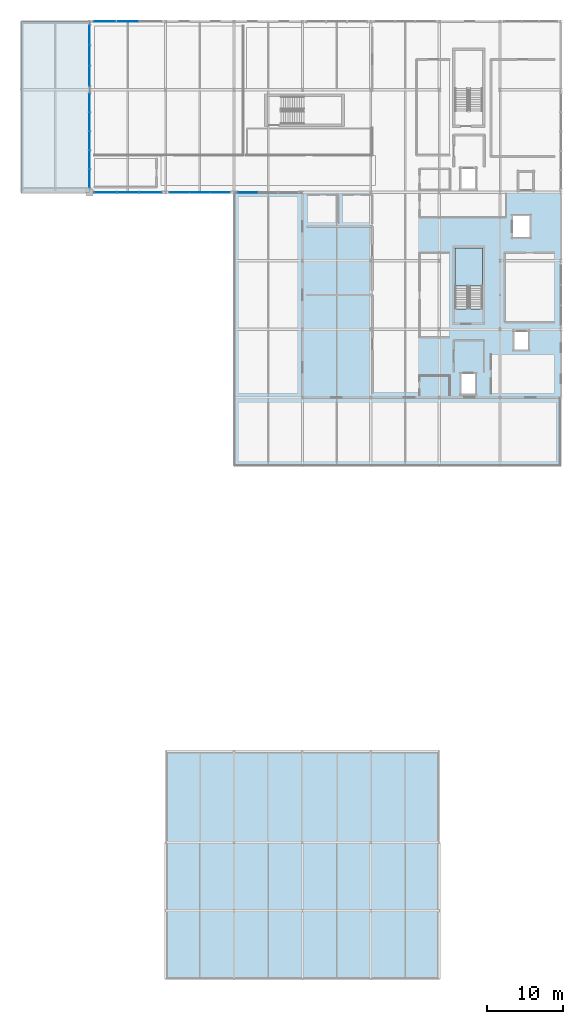
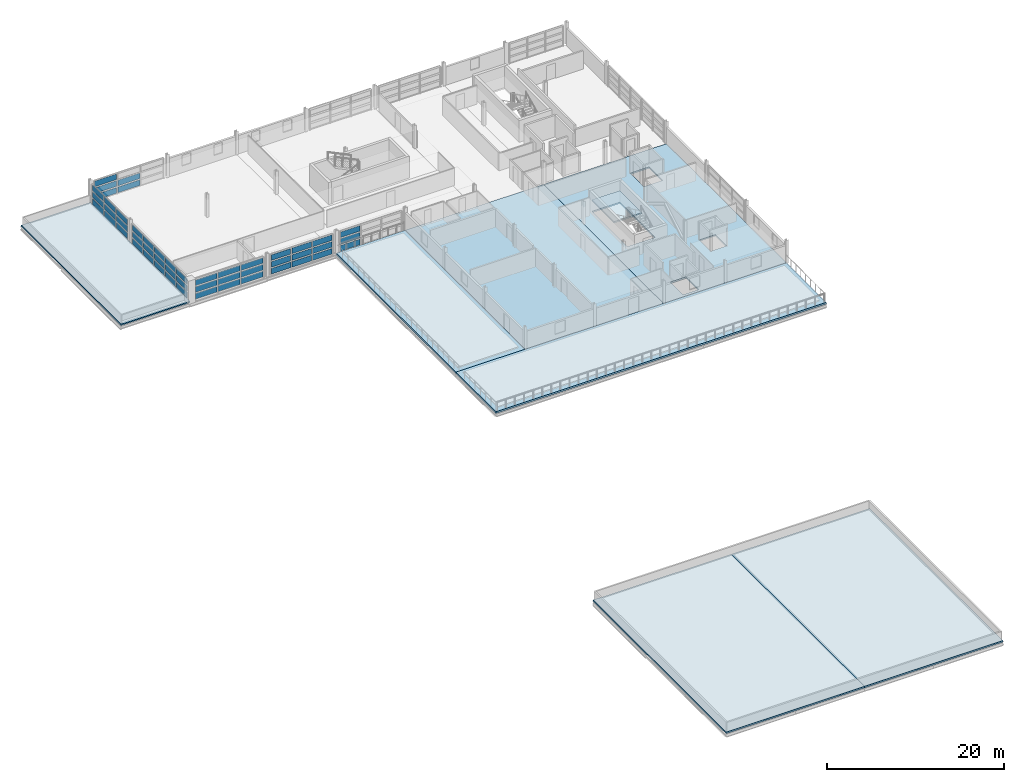
# One storey, part 19 of 30: 50 plates, 8 slabs, 7 elements without a shape of their own.
"""IFC4 building model written with IfcOpenShell, lengths in metres."""

from ifc_helpers import new_model, si_unit, direction, frame, origin, origin_2d, place, context, subcontext, project, spatial, polyline, rectangle, outline, extrude, material, layer, layer_set, type_object, element, aggregate, save


model = new_model("IFC4")

# Units and contexts
model_context = context("Model", 3, precision=1e-05, world=origin(), true_north=direction((0.0, 1.0)))
body_context = subcontext(model_context, "Body", "Model", "MODEL_VIEW")
ifc_project = project(units=[si_unit("LENGTHUNIT", "METRE"), si_unit("AREAUNIT", "SQUARE_METRE"), si_unit("VOLUMEUNIT", "CUBIC_METRE"), si_unit("PLANEANGLEUNIT", "RADIAN"), si_unit("MASSUNIT", "GRAM", prefix="KILO")], contexts=[model_context])

# Site, building, storey
site_placement = place(None, origin())
site = spatial("IfcSite", under=ifc_project, at=site_placement, CompositionType="ELEMENT")
building_placement = place(site_placement, origin())
building = spatial("IfcBuilding", under=site, at=building_placement, Name="Chuanluo Vaults Station", CompositionType="ELEMENT")
storey_placement = place(building_placement, frame((0.0, 0.0, 17.60009765625)))
storey = spatial("IfcBuildingStorey", under=building, at=storey_placement, Name="L04", CompositionType="ELEMENT", Elevation=17.60009765625)

# Curtain wall, plate
ifc_material_1 = material(Name="Anodised aluminium 6063-T6", Category="aluminium")
curtain_wall_type_1 = type_object("IfcCurtainWallType", Name="CW-SYS-11", PredefinedType="NOTDEFINED", material=ifc_material_1)
curtain_wall_1_placement = place(storey_placement, origin())
curtain_wall_1 = element("IfcCurtainWall", 1, at=curtain_wall_1_placement, inside=storey, type_object=curtain_wall_type_1, Name="Operations L04 facade CW", PredefinedType="NOTDEFINED")
ifc_material_2 = material(Name="Ceramic-fritted spandrel glass", Category="glass")
ifc_layer_1 = layer(ifc_material_2, 0.06396484375)
ifc_layer_set_1 = layer_set([ifc_layer_1], Name="Ceramic-fritted spandrel glass")
plate_type_1 = type_object("IfcPlateType", Name="CWP-SPN-42", PredefinedType="SHEET", material=ifc_layer_set_1)
plate_1_placement = place(storey_placement, frame((146.816650390625, 103.5, 0.080078125), z_axis=(0.0, 0.0, 1.0), x_axis=(-1.0, 0.0, 0.0)))
plate_1 = element("IfcPlate", 2, at=plate_1_placement, type_object=plate_type_1, Name="Operations L04 facade CW glazed panel 3.1", PredefinedType="SHEET", context=body_context, shape_type="SweptSolid", body=[
    extrude(rectangle(XDim=2.523193359375, YDim=0.06396484375, at=origin_2d()), origin(), (0.0, 0.0, 1.0), 0.773193359375),
])

# Curtain wall, plates
ifc_material_3 = material(Name="Anodised aluminium 6063-T6", Category="aluminium")
curtain_wall_type_2 = type_object("IfcCurtainWallType", Name="CW-SYS-13", PredefinedType="NOTDEFINED", material=ifc_material_3)
curtain_wall_2_placement = place(storey_placement, origin())
curtain_wall_2 = element("IfcCurtainWall", 3, at=curtain_wall_2_placement, inside=storey, type_object=curtain_wall_type_2, Name="Operations L04 facade CW", PredefinedType="NOTDEFINED")
plate_2_placement = place(storey_placement, frame((134.033203125, 103.5, 0.080078125), z_axis=(0.0, 0.0, 1.0), x_axis=(-1.0, 0.0, 0.0)))
plate_2 = element("IfcPlate", 4, at=plate_2_placement, type_object=plate_type_1, Name="Operations L04 facade CW glazed panel 1.1", PredefinedType="SHEET", context=body_context, shape_type="SweptSolid", body=[
    extrude(rectangle(XDim=2.8232421875, YDim=0.06396484375, at=origin_2d()), origin(), (0.0, 0.0, 1.0), 0.773193359375),
])
plate_3_placement = place(storey_placement, frame((131.050048828125, 103.5, 0.080078125), z_axis=(0.0, 0.0, 1.0), x_axis=(-1.0, 0.0, 0.0)))
plate_3 = element("IfcPlate", 5, at=plate_3_placement, type_object=plate_type_1, Name="Operations L04 facade CW glazed panel 2.1", PredefinedType="SHEET", context=body_context, shape_type="SweptSolid", body=[
    extrude(rectangle(XDim=2.8232421875, YDim=0.06396484375, at=origin_2d()), origin(), (0.0, 0.0, 1.0), 0.773193359375),
])
plate_4_placement = place(storey_placement, frame((128.066650390625, 103.5, 0.080078125), z_axis=(0.0, 0.0, 1.0), x_axis=(-1.0, 0.0, 0.0)))
plate_4 = element("IfcPlate", 6, at=plate_4_placement, type_object=plate_type_1, Name="Operations L04 facade CW glazed panel 3.1", PredefinedType="SHEET", context=body_context, shape_type="SweptSolid", body=[
    extrude(rectangle(XDim=2.8232421875, YDim=0.06396484375, at=origin_2d()), origin(), (0.0, 0.0, 1.0), 0.773193359375),
])

ifc_material_4 = material(Name="Anodised aluminium 6063-T6", Category="aluminium")
curtain_wall_type_3 = type_object("IfcCurtainWallType", Name="CW-SYS-15", PredefinedType="NOTDEFINED", material=ifc_material_4)
curtain_wall_3_placement = place(storey_placement, origin())
curtain_wall_3 = element("IfcCurtainWall", 7, at=curtain_wall_3_placement, inside=storey, type_object=curtain_wall_type_3, Name="Operations L04 facade CW", PredefinedType="NOTDEFINED")
plate_5_placement = place(storey_placement, frame((126.0, 118.816650390625, 0.080078125), z_axis=(0.0, 0.0, 1.0), x_axis=(0.0, 1.0, 0.0)))
plate_5 = element("IfcPlate", 8, at=plate_5_placement, type_object=plate_type_1, Name="Operations L04 facade CW glazed panel 1.1", PredefinedType="SHEET", context=body_context, shape_type="SweptSolid", body=[
    extrude(rectangle(XDim=2.523193359375, YDim=0.06396484375, at=origin_2d()), origin(), (0.0, 0.0, 1.0), 0.773193359375),
])
plate_6_placement = place(storey_placement, frame((126.0, 121.5, 0.080078125), z_axis=(0.0, 0.0, 1.0), x_axis=(0.0, 1.0, 0.0)))
plate_6 = element("IfcPlate", 9, at=plate_6_placement, type_object=plate_type_1, Name="Operations L04 facade CW glazed panel 2.1", PredefinedType="SHEET", context=body_context, shape_type="SweptSolid", body=[
    extrude(rectangle(XDim=2.523193359375, YDim=0.06396484375, at=origin_2d()), origin(), (0.0, 0.0, 1.0), 0.773193359375),
])
plate_7_placement = place(storey_placement, frame((126.0, 124.183349609375, 0.080078125), z_axis=(0.0, 0.0, 1.0), x_axis=(0.0, 1.0, 0.0)))
plate_7 = element("IfcPlate", 10, at=plate_7_placement, type_object=plate_type_1, Name="Operations L04 facade CW glazed panel 3.1", PredefinedType="SHEET", context=body_context, shape_type="SweptSolid", body=[
    extrude(rectangle(XDim=2.523193359375, YDim=0.06396484375, at=origin_2d()), origin(), (0.0, 0.0, 1.0), 0.773193359375),
])

ifc_material_5 = material(Name="Anodised aluminium 6063-T6", Category="aluminium")
curtain_wall_type_4 = type_object("IfcCurtainWallType", Name="CW-SYS-12", PredefinedType="NOTDEFINED", material=ifc_material_5)
curtain_wall_4_placement = place(storey_placement, origin())
curtain_wall_4 = element("IfcCurtainWall", 11, at=curtain_wall_4_placement, inside=storey, type_object=curtain_wall_type_4, Name="Operations L04 facade CW", PredefinedType="NOTDEFINED")
ifc_material_6 = material(Name="Ceramic-fritted spandrel glass", Category="glass")
ifc_layer_2 = layer(ifc_material_6, 0.070068359375)
ifc_layer_set_2 = layer_set([ifc_layer_2], Name="Ceramic-fritted spandrel glass")
plate_type_2 = type_object("IfcPlateType", Name="CWP-SPN-50", PredefinedType="SHEET", material=ifc_layer_set_2)
plate_8_placement = place(storey_placement, frame((143.183349609375, 103.5, 0.080078125), z_axis=(0.0, 0.0, 1.0), x_axis=(-1.0, 0.0, 0.0)))
plate_8 = element("IfcPlate", 12, at=plate_8_placement, type_object=plate_type_2, Name="Operations L04 facade CW glazed panel 1.1", PredefinedType="SHEET", context=body_context, shape_type="SweptSolid", body=[
    extrude(rectangle(XDim=2.523193359375, YDim=0.070068359375, at=origin_2d()), origin(), (0.0, 0.0, 1.0), 0.773193359375),
])
plate_9_placement = place(storey_placement, frame((140.5, 103.5, 0.080078125), z_axis=(0.0, 0.0, 1.0), x_axis=(-1.0, 0.0, 0.0)))
plate_9 = element("IfcPlate", 13, at=plate_9_placement, type_object=plate_type_2, Name="Operations L04 facade CW glazed panel 2.1", PredefinedType="SHEET", context=body_context, shape_type="SweptSolid", body=[
    extrude(rectangle(XDim=2.523193359375, YDim=0.070068359375, at=origin_2d()), origin(), (0.0, 0.0, 1.0), 0.773193359375),
])
plate_10_placement = place(storey_placement, frame((137.816650390625, 103.5, 0.080078125), z_axis=(0.0, 0.0, 1.0), x_axis=(-1.0, 0.0, 0.0)))
plate_10 = element("IfcPlate", 14, at=plate_10_placement, type_object=plate_type_2, Name="Operations L04 facade CW glazed panel 3.1", PredefinedType="SHEET", context=body_context, shape_type="SweptSolid", body=[
    extrude(rectangle(XDim=2.523193359375, YDim=0.070068359375, at=origin_2d()), origin(), (0.0, 0.0, 1.0), 0.773193359375),
])

ifc_material_7 = material(Name="Anodised aluminium 6063-T6", Category="aluminium")
curtain_wall_type_5 = type_object("IfcCurtainWallType", Name="CW-SYS-14", PredefinedType="NOTDEFINED", material=ifc_material_7)
curtain_wall_5_placement = place(storey_placement, origin())
curtain_wall_5 = element("IfcCurtainWall", 15, at=curtain_wall_5_placement, inside=storey, type_object=curtain_wall_type_5, Name="Operations L04 facade CW", PredefinedType="NOTDEFINED")
plate_11_placement = place(storey_placement, frame((126.0, 105.320068359375, 0.080078125), z_axis=(0.0, 0.0, 1.0), x_axis=(0.0, 1.0, 0.0)))
plate_11 = element("IfcPlate", 16, at=plate_11_placement, type_object=plate_type_2, Name="Operations L04 facade CW glazed panel 1.1", PredefinedType="SHEET", context=body_context, shape_type="SweptSolid", body=[
    extrude(rectangle(XDim=2.330078125, YDim=0.070068359375, at=origin_2d()), origin(), (0.0, 0.0, 1.0), 0.773193359375),
])
plate_12_placement = place(storey_placement, frame((126.0, 107.81005859375, 0.080078125), z_axis=(0.0, 0.0, 1.0), x_axis=(0.0, 1.0, 0.0)))
plate_12 = element("IfcPlate", 17, at=plate_12_placement, type_object=plate_type_2, Name="Operations L04 facade CW glazed panel 2.1", PredefinedType="SHEET", context=body_context, shape_type="SweptSolid", body=[
    extrude(rectangle(XDim=2.330078125, YDim=0.070068359375, at=origin_2d()), origin(), (0.0, 0.0, 1.0), 0.773193359375),
])
plate_13_placement = place(storey_placement, frame((126.0, 110.300048828125, 0.080078125), z_axis=(0.0, 0.0, 1.0), x_axis=(0.0, 1.0, 0.0)))
plate_13 = element("IfcPlate", 18, at=plate_13_placement, type_object=plate_type_2, Name="Operations L04 facade CW glazed panel 3.1", PredefinedType="SHEET", context=body_context, shape_type="SweptSolid", body=[
    extrude(rectangle(XDim=2.330078125, YDim=0.070068359375, at=origin_2d()), origin(), (0.0, 0.0, 1.0), 0.773193359375),
])
plate_14_placement = place(storey_placement, frame((126.0, 112.7900390625, 0.080078125), z_axis=(0.0, 0.0, 1.0), x_axis=(0.0, 1.0, 0.0)))
plate_14 = element("IfcPlate", 19, at=plate_14_placement, type_object=plate_type_2, Name="Operations L04 facade CW glazed panel 4.1", PredefinedType="SHEET", context=body_context, shape_type="SweptSolid", body=[
    extrude(rectangle(XDim=2.330078125, YDim=0.070068359375, at=origin_2d()), origin(), (0.0, 0.0, 1.0), 0.773193359375),
])
plate_15_placement = place(storey_placement, frame((126.0, 115.280029296875, 0.080078125), z_axis=(0.0, 0.0, 1.0), x_axis=(0.0, 1.0, 0.0)))
plate_15 = element("IfcPlate", 20, at=plate_15_placement, type_object=plate_type_2, Name="Operations L04 facade CW glazed panel 5.1", PredefinedType="SHEET", context=body_context, shape_type="SweptSolid", body=[
    extrude(rectangle(XDim=2.330078125, YDim=0.070068359375, at=origin_2d()), origin(), (0.0, 0.0, 1.0), 0.773193359375),
])

ifc_material_8 = material(Name="Anodised aluminium 6063-T6", Category="aluminium")
curtain_wall_type_6 = type_object("IfcCurtainWallType", Name="CW-SYS-16", PredefinedType="NOTDEFINED", material=ifc_material_8)
curtain_wall_6_placement = place(storey_placement, origin())
curtain_wall_6 = element("IfcCurtainWall", 21, at=curtain_wall_6_placement, inside=storey, type_object=curtain_wall_type_6, Name="Operations L04 facade CW", PredefinedType="NOTDEFINED")
plate_16_placement = place(storey_placement, frame((127.9833984375, 126.0, 0.080078125), z_axis=(0.0, 0.0, 1.0), x_axis=(1.0, 0.0, 0.0)))
plate_16 = element("IfcPlate", 22, at=plate_16_placement, type_object=plate_type_2, Name="Operations L04 facade CW glazed panel 1.1", PredefinedType="SHEET", context=body_context, shape_type="SweptSolid", body=[
    extrude(rectangle(XDim=2.856689453125, YDim=0.070068359375, at=origin_2d()), origin(), (0.0, 0.0, 1.0), 0.773193359375),
])
plate_17_placement = place(storey_placement, frame((131.0, 126.0, 0.080078125), z_axis=(0.0, 0.0, 1.0), x_axis=(1.0, 0.0, 0.0)))
plate_17 = element("IfcPlate", 23, at=plate_17_placement, type_object=plate_type_2, Name="Operations L04 facade CW glazed panel 2.1", PredefinedType="SHEET", context=body_context, shape_type="SweptSolid", body=[
    extrude(rectangle(XDim=2.856689453125, YDim=0.070068359375, at=origin_2d()), origin(), (0.0, 0.0, 1.0), 0.773193359375),
])

# Plate
ifc_material_9 = material(Name="Double-silver Low-E laminated glass", Category="glass")
ifc_layer_3 = layer(ifc_material_9, 0.0439453125)
ifc_layer_set_3 = layer_set([ifc_layer_3], Name="Double-silver Low-E laminated glass")
plate_type_3 = type_object("IfcPlateType", Name="CWP-VIS-28", PredefinedType="CURTAIN_PANEL", material=ifc_layer_set_3)
plate_18_placement = place(storey_placement, frame((143.183349609375, 103.5, 1.01318359375), z_axis=(0.0, 0.0, 1.0), x_axis=(-1.0, 0.0, 0.0)))
plate_18 = element("IfcPlate", 24, at=plate_18_placement, type_object=plate_type_3, Name="Operations L04 facade CW glazed panel 1.2", PredefinedType="CURTAIN_PANEL", context=body_context, shape_type="SweptSolid", body=[
    extrude(rectangle(XDim=2.523193359375, YDim=0.0439453125, at=origin_2d()), origin(), (0.0, 0.0, 1.0), 0.7734375),
])

plate_19_placement = place(storey_placement, frame((143.183349609375, 103.5, 1.94677734375), z_axis=(0.0, 0.0, 1.0), x_axis=(-1.0, 0.0, 0.0)))
plate_19 = element("IfcPlate", 25, at=plate_19_placement, type_object=plate_type_3, Name="Operations L04 facade CW glazed panel 1.3", PredefinedType="CURTAIN_PANEL", context=body_context, shape_type="SweptSolid", body=[
    extrude(rectangle(XDim=2.523193359375, YDim=0.0439453125, at=origin_2d()), origin(), (0.0, 0.0, 1.0), 0.773193359375),
])

plate_20_placement = place(storey_placement, frame((140.5, 103.5, 1.01318359375), z_axis=(0.0, 0.0, 1.0), x_axis=(-1.0, 0.0, 0.0)))
plate_20 = element("IfcPlate", 26, at=plate_20_placement, type_object=plate_type_3, Name="Operations L04 facade CW glazed panel 2.2", PredefinedType="CURTAIN_PANEL", context=body_context, shape_type="SweptSolid", body=[
    extrude(rectangle(XDim=2.523193359375, YDim=0.0439453125, at=origin_2d()), origin(), (0.0, 0.0, 1.0), 0.7734375),
])

plate_21_placement = place(storey_placement, frame((140.5, 103.5, 1.94677734375), z_axis=(0.0, 0.0, 1.0), x_axis=(-1.0, 0.0, 0.0)))
plate_21 = element("IfcPlate", 27, at=plate_21_placement, type_object=plate_type_3, Name="Operations L04 facade CW glazed panel 2.3", PredefinedType="CURTAIN_PANEL", context=body_context, shape_type="SweptSolid", body=[
    extrude(rectangle(XDim=2.523193359375, YDim=0.0439453125, at=origin_2d()), origin(), (0.0, 0.0, 1.0), 0.773193359375),
])

plate_22_placement = place(storey_placement, frame((137.816650390625, 103.5, 1.01318359375), z_axis=(0.0, 0.0, 1.0), x_axis=(-1.0, 0.0, 0.0)))
plate_22 = element("IfcPlate", 28, at=plate_22_placement, type_object=plate_type_3, Name="Operations L04 facade CW glazed panel 3.2", PredefinedType="CURTAIN_PANEL", context=body_context, shape_type="SweptSolid", body=[
    extrude(rectangle(XDim=2.523193359375, YDim=0.0439453125, at=origin_2d()), origin(), (0.0, 0.0, 1.0), 0.7734375),
])

plate_23_placement = place(storey_placement, frame((137.816650390625, 103.5, 1.94677734375), z_axis=(0.0, 0.0, 1.0), x_axis=(-1.0, 0.0, 0.0)))
plate_23 = element("IfcPlate", 29, at=plate_23_placement, type_object=plate_type_3, Name="Operations L04 facade CW glazed panel 3.3", PredefinedType="CURTAIN_PANEL", context=body_context, shape_type="SweptSolid", body=[
    extrude(rectangle(XDim=2.523193359375, YDim=0.0439453125, at=origin_2d()), origin(), (0.0, 0.0, 1.0), 0.773193359375),
])

aggregate(curtain_wall_4, [plate_8, plate_18, plate_19, plate_9, plate_20, plate_21, plate_10, plate_22, plate_23])

plate_24_placement = place(storey_placement, frame((127.9833984375, 126.0, 1.01318359375), z_axis=(0.0, 0.0, 1.0), x_axis=(1.0, 0.0, 0.0)))
plate_24 = element("IfcPlate", 30, at=plate_24_placement, type_object=plate_type_3, Name="Operations L04 facade CW glazed panel 1.2", PredefinedType="CURTAIN_PANEL", context=body_context, shape_type="SweptSolid", body=[
    extrude(rectangle(XDim=2.856689453125, YDim=0.0439453125, at=origin_2d()), origin(), (0.0, 0.0, 1.0), 0.7734375),
])

plate_25_placement = place(storey_placement, frame((127.9833984375, 126.0, 1.94677734375), z_axis=(0.0, 0.0, 1.0), x_axis=(1.0, 0.0, 0.0)))
plate_25 = element("IfcPlate", 31, at=plate_25_placement, type_object=plate_type_3, Name="Operations L04 facade CW glazed panel 1.3", PredefinedType="CURTAIN_PANEL", context=body_context, shape_type="SweptSolid", body=[
    extrude(rectangle(XDim=2.856689453125, YDim=0.0439453125, at=origin_2d()), origin(), (0.0, 0.0, 1.0), 0.773193359375),
])

plate_26_placement = place(storey_placement, frame((131.0, 126.0, 1.01318359375), z_axis=(0.0, 0.0, 1.0), x_axis=(1.0, 0.0, 0.0)))
plate_26 = element("IfcPlate", 32, at=plate_26_placement, type_object=plate_type_3, Name="Operations L04 facade CW glazed panel 2.2", PredefinedType="CURTAIN_PANEL", context=body_context, shape_type="SweptSolid", body=[
    extrude(rectangle(XDim=2.856689453125, YDim=0.0439453125, at=origin_2d()), origin(), (0.0, 0.0, 1.0), 0.7734375),
])

aggregate(curtain_wall_6, [plate_16, plate_24, plate_25, plate_17, plate_26])

ifc_material_10 = material(Name="Double-silver Low-E laminated glass", Category="glass")
ifc_layer_4 = layer(ifc_material_10, 0.048095703125)
ifc_layer_set_4 = layer_set([ifc_layer_4], Name="Double-silver Low-E laminated glass")
plate_type_4 = type_object("IfcPlateType", Name="CWP-VIS-32", PredefinedType="CURTAIN_PANEL", material=ifc_layer_set_4)
plate_27_placement = place(storey_placement, frame((146.816650390625, 103.5, 1.01318359375), z_axis=(0.0, 0.0, 1.0), x_axis=(-1.0, 0.0, 0.0)))
plate_27 = element("IfcPlate", 33, at=plate_27_placement, type_object=plate_type_4, Name="Operations L04 facade CW glazed panel 3.2", PredefinedType="CURTAIN_PANEL", context=body_context, shape_type="SweptSolid", body=[
    extrude(rectangle(XDim=2.523193359375, YDim=0.048095703125, at=origin_2d()), origin(), (0.0, 0.0, 1.0), 0.7734375),
])

plate_28_placement = place(storey_placement, frame((146.816650390625, 103.5, 1.94677734375), z_axis=(0.0, 0.0, 1.0), x_axis=(-1.0, 0.0, 0.0)))
plate_28 = element("IfcPlate", 34, at=plate_28_placement, type_object=plate_type_4, Name="Operations L04 facade CW glazed panel 3.3", PredefinedType="CURTAIN_PANEL", context=body_context, shape_type="SweptSolid", body=[
    extrude(rectangle(XDim=2.523193359375, YDim=0.048095703125, at=origin_2d()), origin(), (0.0, 0.0, 1.0), 0.773193359375),
])

aggregate(curtain_wall_1, [plate_1, plate_27, plate_28])

plate_29_placement = place(storey_placement, frame((126.0, 118.816650390625, 1.01318359375), z_axis=(0.0, 0.0, 1.0), x_axis=(0.0, 1.0, 0.0)))
plate_29 = element("IfcPlate", 35, at=plate_29_placement, type_object=plate_type_4, Name="Operations L04 facade CW glazed panel 1.2", PredefinedType="CURTAIN_PANEL", context=body_context, shape_type="SweptSolid", body=[
    extrude(rectangle(XDim=2.523193359375, YDim=0.048095703125, at=origin_2d()), origin(), (0.0, 0.0, 1.0), 0.7734375),
])

plate_30_placement = place(storey_placement, frame((126.0, 118.816650390625, 1.94677734375), z_axis=(0.0, 0.0, 1.0), x_axis=(0.0, 1.0, 0.0)))
plate_30 = element("IfcPlate", 36, at=plate_30_placement, type_object=plate_type_4, Name="Operations L04 facade CW glazed panel 1.3", PredefinedType="CURTAIN_PANEL", context=body_context, shape_type="SweptSolid", body=[
    extrude(rectangle(XDim=2.523193359375, YDim=0.048095703125, at=origin_2d()), origin(), (0.0, 0.0, 1.0), 0.773193359375),
])

plate_31_placement = place(storey_placement, frame((126.0, 121.5, 1.01318359375), z_axis=(0.0, 0.0, 1.0), x_axis=(0.0, 1.0, 0.0)))
plate_31 = element("IfcPlate", 37, at=plate_31_placement, type_object=plate_type_4, Name="Operations L04 facade CW glazed panel 2.2", PredefinedType="CURTAIN_PANEL", context=body_context, shape_type="SweptSolid", body=[
    extrude(rectangle(XDim=2.523193359375, YDim=0.048095703125, at=origin_2d()), origin(), (0.0, 0.0, 1.0), 0.7734375),
])

plate_32_placement = place(storey_placement, frame((126.0, 121.5, 1.94677734375), z_axis=(0.0, 0.0, 1.0), x_axis=(0.0, 1.0, 0.0)))
plate_32 = element("IfcPlate", 38, at=plate_32_placement, type_object=plate_type_4, Name="Operations L04 facade CW glazed panel 2.3", PredefinedType="CURTAIN_PANEL", context=body_context, shape_type="SweptSolid", body=[
    extrude(rectangle(XDim=2.523193359375, YDim=0.048095703125, at=origin_2d()), origin(), (0.0, 0.0, 1.0), 0.773193359375),
])

plate_33_placement = place(storey_placement, frame((126.0, 124.183349609375, 1.01318359375), z_axis=(0.0, 0.0, 1.0), x_axis=(0.0, 1.0, 0.0)))
plate_33 = element("IfcPlate", 39, at=plate_33_placement, type_object=plate_type_4, Name="Operations L04 facade CW glazed panel 3.2", PredefinedType="CURTAIN_PANEL", context=body_context, shape_type="SweptSolid", body=[
    extrude(rectangle(XDim=2.523193359375, YDim=0.048095703125, at=origin_2d()), origin(), (0.0, 0.0, 1.0), 0.7734375),
])

plate_34_placement = place(storey_placement, frame((126.0, 124.183349609375, 1.94677734375), z_axis=(0.0, 0.0, 1.0), x_axis=(0.0, 1.0, 0.0)))
plate_34 = element("IfcPlate", 40, at=plate_34_placement, type_object=plate_type_4, Name="Operations L04 facade CW glazed panel 3.3", PredefinedType="CURTAIN_PANEL", context=body_context, shape_type="SweptSolid", body=[
    extrude(rectangle(XDim=2.523193359375, YDim=0.048095703125, at=origin_2d()), origin(), (0.0, 0.0, 1.0), 0.773193359375),
])

aggregate(curtain_wall_3, [plate_5, plate_29, plate_30, plate_6, plate_31, plate_32, plate_7, plate_33, plate_34])

ifc_material_11 = material(Name="Double-silver Low-E laminated glass", Category="glass")
ifc_layer_5 = layer(ifc_material_11, 0.053955078125)
ifc_layer_set_5 = layer_set([ifc_layer_5], Name="Double-silver Low-E laminated glass")
plate_type_5 = type_object("IfcPlateType", Name="CWP-VIS-36", PredefinedType="CURTAIN_PANEL", material=ifc_layer_set_5)
plate_35_placement = place(storey_placement, frame((126.0, 105.320068359375, 1.01318359375), z_axis=(0.0, 0.0, 1.0), x_axis=(0.0, 1.0, 0.0)))
plate_35 = element("IfcPlate", 41, at=plate_35_placement, type_object=plate_type_5, Name="Operations L04 facade CW glazed panel 1.2", PredefinedType="CURTAIN_PANEL", context=body_context, shape_type="SweptSolid", body=[
    extrude(rectangle(XDim=2.330078125, YDim=0.053955078125, at=origin_2d()), origin(), (0.0, 0.0, 1.0), 0.7734375),
])

plate_36_placement = place(storey_placement, frame((126.0, 105.320068359375, 1.94677734375), z_axis=(0.0, 0.0, 1.0), x_axis=(0.0, 1.0, 0.0)))
plate_36 = element("IfcPlate", 42, at=plate_36_placement, type_object=plate_type_5, Name="Operations L04 facade CW glazed panel 1.3", PredefinedType="CURTAIN_PANEL", context=body_context, shape_type="SweptSolid", body=[
    extrude(rectangle(XDim=2.330078125, YDim=0.053955078125, at=origin_2d()), origin(), (0.0, 0.0, 1.0), 0.773193359375),
])

plate_37_placement = place(storey_placement, frame((126.0, 107.81005859375, 1.01318359375), z_axis=(0.0, 0.0, 1.0), x_axis=(0.0, 1.0, 0.0)))
plate_37 = element("IfcPlate", 43, at=plate_37_placement, type_object=plate_type_5, Name="Operations L04 facade CW glazed panel 2.2", PredefinedType="CURTAIN_PANEL", context=body_context, shape_type="SweptSolid", body=[
    extrude(rectangle(XDim=2.330078125, YDim=0.053955078125, at=origin_2d()), origin(), (0.0, 0.0, 1.0), 0.7734375),
])

plate_38_placement = place(storey_placement, frame((126.0, 107.81005859375, 1.94677734375), z_axis=(0.0, 0.0, 1.0), x_axis=(0.0, 1.0, 0.0)))
plate_38 = element("IfcPlate", 44, at=plate_38_placement, type_object=plate_type_5, Name="Operations L04 facade CW glazed panel 2.3", PredefinedType="CURTAIN_PANEL", context=body_context, shape_type="SweptSolid", body=[
    extrude(rectangle(XDim=2.330078125, YDim=0.053955078125, at=origin_2d()), origin(), (0.0, 0.0, 1.0), 0.773193359375),
])

plate_39_placement = place(storey_placement, frame((126.0, 110.300048828125, 1.01318359375), z_axis=(0.0, 0.0, 1.0), x_axis=(0.0, 1.0, 0.0)))
plate_39 = element("IfcPlate", 45, at=plate_39_placement, type_object=plate_type_5, Name="Operations L04 facade CW glazed panel 3.2", PredefinedType="CURTAIN_PANEL", context=body_context, shape_type="SweptSolid", body=[
    extrude(rectangle(XDim=2.330078125, YDim=0.053955078125, at=origin_2d()), origin(), (0.0, 0.0, 1.0), 0.7734375),
])

plate_40_placement = place(storey_placement, frame((126.0, 110.300048828125, 1.94677734375), z_axis=(0.0, 0.0, 1.0), x_axis=(0.0, 1.0, 0.0)))
plate_40 = element("IfcPlate", 46, at=plate_40_placement, type_object=plate_type_5, Name="Operations L04 facade CW glazed panel 3.3", PredefinedType="CURTAIN_PANEL", context=body_context, shape_type="SweptSolid", body=[
    extrude(rectangle(XDim=2.330078125, YDim=0.053955078125, at=origin_2d()), origin(), (0.0, 0.0, 1.0), 0.773193359375),
])

plate_41_placement = place(storey_placement, frame((126.0, 112.7900390625, 1.01318359375), z_axis=(0.0, 0.0, 1.0), x_axis=(0.0, 1.0, 0.0)))
plate_41 = element("IfcPlate", 47, at=plate_41_placement, type_object=plate_type_5, Name="Operations L04 facade CW glazed panel 4.2", PredefinedType="CURTAIN_PANEL", context=body_context, shape_type="SweptSolid", body=[
    extrude(rectangle(XDim=2.330078125, YDim=0.053955078125, at=origin_2d()), origin(), (0.0, 0.0, 1.0), 0.7734375),
])

plate_42_placement = place(storey_placement, frame((126.0, 112.7900390625, 1.94677734375), z_axis=(0.0, 0.0, 1.0), x_axis=(0.0, 1.0, 0.0)))
plate_42 = element("IfcPlate", 48, at=plate_42_placement, type_object=plate_type_5, Name="Operations L04 facade CW glazed panel 4.3", PredefinedType="CURTAIN_PANEL", context=body_context, shape_type="SweptSolid", body=[
    extrude(rectangle(XDim=2.330078125, YDim=0.053955078125, at=origin_2d()), origin(), (0.0, 0.0, 1.0), 0.773193359375),
])

plate_43_placement = place(storey_placement, frame((126.0, 115.280029296875, 1.01318359375), z_axis=(0.0, 0.0, 1.0), x_axis=(0.0, 1.0, 0.0)))
plate_43 = element("IfcPlate", 49, at=plate_43_placement, type_object=plate_type_5, Name="Operations L04 facade CW glazed panel 5.2", PredefinedType="CURTAIN_PANEL", context=body_context, shape_type="SweptSolid", body=[
    extrude(rectangle(XDim=2.330078125, YDim=0.053955078125, at=origin_2d()), origin(), (0.0, 0.0, 1.0), 0.7734375),
])

plate_44_placement = place(storey_placement, frame((126.0, 115.280029296875, 1.94677734375), z_axis=(0.0, 0.0, 1.0), x_axis=(0.0, 1.0, 0.0)))
plate_44 = element("IfcPlate", 50, at=plate_44_placement, type_object=plate_type_5, Name="Operations L04 facade CW glazed panel 5.3", PredefinedType="CURTAIN_PANEL", context=body_context, shape_type="SweptSolid", body=[
    extrude(rectangle(XDim=2.330078125, YDim=0.053955078125, at=origin_2d()), origin(), (0.0, 0.0, 1.0), 0.773193359375),
])

aggregate(curtain_wall_5, [plate_11, plate_35, plate_36, plate_12, plate_37, plate_38, plate_13, plate_39, plate_40, plate_14, plate_41, plate_42, plate_15, plate_43, plate_44])

ifc_material_12 = material(Name="Double-silver Low-E laminated glass", Category="glass")
ifc_layer_6 = layer(ifc_material_12, 0.05810546875)
ifc_layer_set_6 = layer_set([ifc_layer_6], Name="Double-silver Low-E laminated glass")
plate_type_6 = type_object("IfcPlateType", Name="CWP-VIS-38", PredefinedType="CURTAIN_PANEL", material=ifc_layer_set_6)
plate_45_placement = place(storey_placement, frame((134.033203125, 103.5, 1.01318359375), z_axis=(0.0, 0.0, 1.0), x_axis=(-1.0, 0.0, 0.0)))
plate_45 = element("IfcPlate", 51, at=plate_45_placement, type_object=plate_type_6, Name="Operations L04 facade CW glazed panel 1.2", PredefinedType="CURTAIN_PANEL", context=body_context, shape_type="SweptSolid", body=[
    extrude(rectangle(XDim=2.8232421875, YDim=0.05810546875, at=origin_2d()), origin(), (0.0, 0.0, 1.0), 0.7734375),
])

plate_46_placement = place(storey_placement, frame((134.033203125, 103.5, 1.94677734375), z_axis=(0.0, 0.0, 1.0), x_axis=(-1.0, 0.0, 0.0)))
plate_46 = element("IfcPlate", 52, at=plate_46_placement, type_object=plate_type_6, Name="Operations L04 facade CW glazed panel 1.3", PredefinedType="CURTAIN_PANEL", context=body_context, shape_type="SweptSolid", body=[
    extrude(rectangle(XDim=2.8232421875, YDim=0.05810546875, at=origin_2d()), origin(), (0.0, 0.0, 1.0), 0.773193359375),
])

plate_47_placement = place(storey_placement, frame((131.050048828125, 103.5, 1.01318359375), z_axis=(0.0, 0.0, 1.0), x_axis=(-1.0, 0.0, 0.0)))
plate_47 = element("IfcPlate", 53, at=plate_47_placement, type_object=plate_type_6, Name="Operations L04 facade CW glazed panel 2.2", PredefinedType="CURTAIN_PANEL", context=body_context, shape_type="SweptSolid", body=[
    extrude(rectangle(XDim=2.8232421875, YDim=0.05810546875, at=origin_2d()), origin(), (0.0, 0.0, 1.0), 0.7734375),
])

plate_48_placement = place(storey_placement, frame((131.050048828125, 103.5, 1.94677734375), z_axis=(0.0, 0.0, 1.0), x_axis=(-1.0, 0.0, 0.0)))
plate_48 = element("IfcPlate", 54, at=plate_48_placement, type_object=plate_type_6, Name="Operations L04 facade CW glazed panel 2.3", PredefinedType="CURTAIN_PANEL", context=body_context, shape_type="SweptSolid", body=[
    extrude(rectangle(XDim=2.8232421875, YDim=0.05810546875, at=origin_2d()), origin(), (0.0, 0.0, 1.0), 0.773193359375),
])

plate_49_placement = place(storey_placement, frame((128.066650390625, 103.5, 1.01318359375), z_axis=(0.0, 0.0, 1.0), x_axis=(-1.0, 0.0, 0.0)))
plate_49 = element("IfcPlate", 55, at=plate_49_placement, type_object=plate_type_6, Name="Operations L04 facade CW glazed panel 3.2", PredefinedType="CURTAIN_PANEL", context=body_context, shape_type="SweptSolid", body=[
    extrude(rectangle(XDim=2.8232421875, YDim=0.05810546875, at=origin_2d()), origin(), (0.0, 0.0, 1.0), 0.7734375),
])

plate_50_placement = place(storey_placement, frame((128.066650390625, 103.5, 1.94677734375), z_axis=(0.0, 0.0, 1.0), x_axis=(-1.0, 0.0, 0.0)))
plate_50 = element("IfcPlate", 56, at=plate_50_placement, type_object=plate_type_6, Name="Operations L04 facade CW glazed panel 3.3", PredefinedType="CURTAIN_PANEL", context=body_context, shape_type="SweptSolid", body=[
    extrude(rectangle(XDim=2.8232421875, YDim=0.05810546875, at=origin_2d()), origin(), (0.0, 0.0, 1.0), 0.773193359375),
])

aggregate(curtain_wall_2, [plate_2, plate_45, plate_46, plate_3, plate_47, plate_48, plate_4, plate_49, plate_50])

# Stair, slab
ifc_material_13 = material(Name="Concrete C40", Category="concrete")
stair_type = type_object("IfcStairType", Name="STR-TWO-1600", PredefinedType="HALF_TURN_STAIR", material=ifc_material_13)
stair_placement = place(storey_placement, origin())
stair = element("IfcStair", 57, at=stair_placement, inside=storey, type_object=stair_type, Name="L04 ST-01", PredefinedType="HALF_TURN_STAIR")
ifc_material_14 = material(Name="Concrete C40", Category="concrete")
ifc_layer_7 = layer(ifc_material_14, 0.199951171875)
ifc_layer_set_7 = layer_set([ifc_layer_7], Name="Concrete C40")
slab_type_1 = type_object("IfcSlabType", Name="SLB-LND-200", PredefinedType="LANDING", material=ifc_layer_set_7)
slab_1_placement = place(storey_placement, frame((0.0, 0.0, 1.39990234375)))
slab_1 = element("IfcSlab", 58, at=slab_1_placement, type_object=slab_type_1, Name="ST-01 landing 1", PredefinedType="LANDING", context=body_context, shape_type="SweptSolid", body=[
    extrude(outline(polyline([(177.6875, 91.1875), (177.6875, 96.172607421875), (174.0673828125, 96.172607421875), (174.0673828125, 91.1875), (177.6875, 91.1875)])), origin(), (0.0, 0.0, 1.0), 0.199951171875),
])
aggregate(stair, [slab_1])

# Slabs
ifc_material_15 = material(Name="Concrete C40", Category="concrete")
ifc_layer_8 = layer(ifc_material_15, 0.199951171875)
ifc_layer_set_8 = layer_set([ifc_layer_8], Name="Concrete C40")
slab_type_2 = type_object("IfcSlabType", Name="SLB-OPS-200", PredefinedType="FLOOR", material=ifc_layer_set_8)
slab_2_placement = place(storey_placement, frame((0.0, 0.0, -0.2001953125)))
element("IfcSlab", 59, at=slab_2_placement, inside=storey, type_object=slab_type_2, Name="L04 OPS1 slab 01", PredefinedType="FLOOR", context=body_context, shape_type="SweptSolid", body=[
    extrude(outline(polyline([(154.0, 76.5), (172.0, 76.5), (172.0, 103.5), (154.0, 103.5), (154.0, 76.5)])), origin(), (0.0, 0.0, 1.0), 0.2001953125),
])
slab_3_placement = place(storey_placement, frame((0.0, 0.0, -0.2001953125)))
element("IfcSlab", 60, at=slab_3_placement, inside=storey, type_object=slab_type_2, Name="L04 OPS1 slab 02", PredefinedType="FLOOR", context=body_context, shape_type="SweptSolid", body=[
    extrude(outline(polyline([(172.0, 76.5), (188.0, 76.5), (188.0, 103.5), (172.0, 103.5), (172.0, 76.5)]), holes=[polyline([(177.6875, 88.19140625), (177.6875, 96.172607421875), (174.0673828125, 96.172607421875), (174.0673828125, 88.19140625), (177.6875, 88.19140625)]), polyline([(174.780029296875, 76.8798828125), (176.820068359375, 76.8798828125), (176.820068359375, 79.719970703125), (174.780029296875, 79.719970703125), (174.780029296875, 76.8798828125)]), polyline([(181.780029296875, 82.72998046875), (183.820068359375, 82.72998046875), (183.820068359375, 85.27001953125), (181.780029296875, 85.27001953125), (181.780029296875, 82.72998046875)]), polyline([(181.580078125, 97.47998046875), (184.02001953125, 97.47998046875), (184.02001953125, 100.52001953125), (181.580078125, 100.52001953125), (181.580078125, 97.47998046875)])]), origin(), (0.0, 0.0, 1.0), 0.2001953125),
])
ifc_material_16 = material(Name="Concrete C40", Category="concrete")
ifc_layer_9 = layer(ifc_material_16, 0.1650390625)
ifc_layer_set_9 = layer_set([ifc_layer_9], Name="Concrete C40")
slab_type_3 = type_object("IfcSlabType", Name="SLB-ROOF-165", PredefinedType="ROOF", material=ifc_layer_set_9)
slab_4_placement = place(storey_placement, frame((0.0, 0.0, -0.1650390625)))
element("IfcSlab", 61, at=slab_4_placement, inside=storey, type_object=slab_type_3, Name="L04 roof slab OPSW", PredefinedType="ROOF", context=body_context, shape_type="SweptSolid", body=[
    extrude(outline(polyline([(117.0, 103.5), (126.0, 103.5), (126.0, 126.0), (117.0, 126.0), (117.0, 103.5)])), origin(), (0.0, 0.0, 1.0), 0.1650390625),
])
ifc_material_17 = material(Name="Concrete C40", Category="concrete")
ifc_layer_10 = layer(ifc_material_17, 0.205078125)
ifc_layer_set_10 = layer_set([ifc_layer_10], Name="Concrete C40")
slab_type_4 = type_object("IfcSlabType", Name="SLB-ROOF-205", PredefinedType="ROOF", material=ifc_layer_set_10)
slab_5_placement = place(storey_placement, frame((0.0, 0.0, -0.205078125)))
element("IfcSlab", 62, at=slab_5_placement, inside=storey, type_object=slab_type_4, Name="L04 roof slab RET1", PredefinedType="ROOF", context=body_context, shape_type="SweptSolid", body=[
    extrude(outline(polyline([(136.0, 0.0), (154.0, 0.0), (154.0, 30.0), (136.0, 30.0), (136.0, 0.0)])), origin(), (0.0, 0.0, 1.0), 0.205078125),
])
slab_6_placement = place(storey_placement, frame((0.0, 0.0, -0.205078125)))
element("IfcSlab", 63, at=slab_6_placement, inside=storey, type_object=slab_type_4, Name="L04 roof slab RET2", PredefinedType="ROOF", context=body_context, shape_type="SweptSolid", body=[
    extrude(outline(polyline([(154.0, 0.0), (172.0, 0.0), (172.0, 30.0), (154.0, 30.0), (154.0, 0.0)])), origin(), (0.0, 0.0, 1.0), 0.205078125),
])
ifc_material_18 = material(Name="Concrete C40", Category="concrete")
ifc_layer_11 = layer(ifc_material_18, 0.22998046875)
ifc_layer_set_11 = layer_set([ifc_layer_11], Name="Concrete C40")
slab_type_5 = type_object("IfcSlabType", Name="SLB-TER-230", PredefinedType="FLOOR", material=ifc_layer_set_11)
slab_7_placement = place(storey_placement, frame((0.0, 0.0, -0.22998046875)))
element("IfcSlab", 64, at=slab_7_placement, inside=storey, type_object=slab_type_5, Name="L04 floor slab TER-S", PredefinedType="FLOOR", context=body_context, shape_type="SweptSolid", body=[
    extrude(outline(polyline([(145.0, 67.5), (188.0, 67.5), (188.0, 76.5), (145.0, 76.5), (145.0, 67.5)])), origin(), (0.0, 0.0, 1.0), 0.22998046875),
])
slab_8_placement = place(storey_placement, frame((0.0, 0.0, -0.22998046875)))
element("IfcSlab", 65, at=slab_8_placement, inside=storey, type_object=slab_type_5, Name="L04 floor slab TER-W", PredefinedType="FLOOR", context=body_context, shape_type="SweptSolid", body=[
    extrude(outline(polyline([(145.0, 76.5), (154.0, 76.5), (154.0, 103.5), (145.0, 103.5), (145.0, 76.5)])), origin(), (0.0, 0.0, 1.0), 0.22998046875),
])

save(model, "model.ifc")
